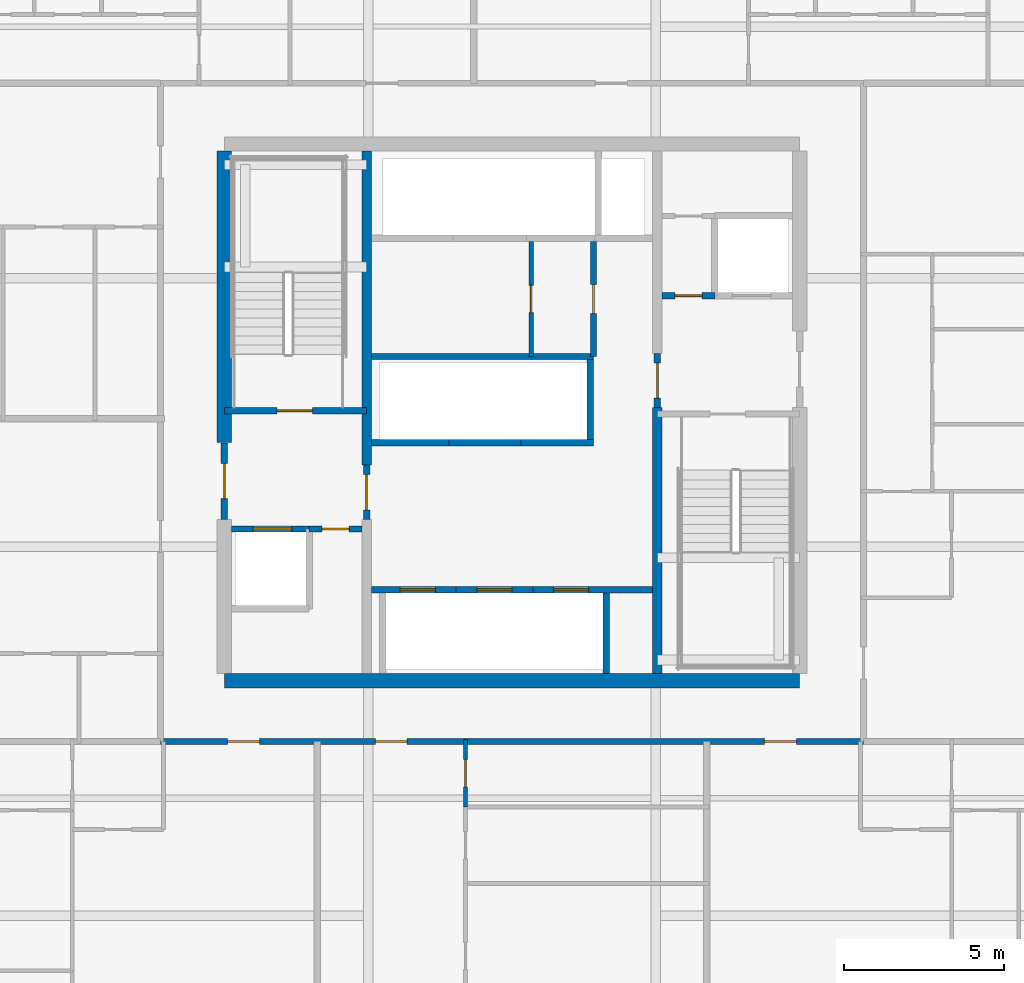
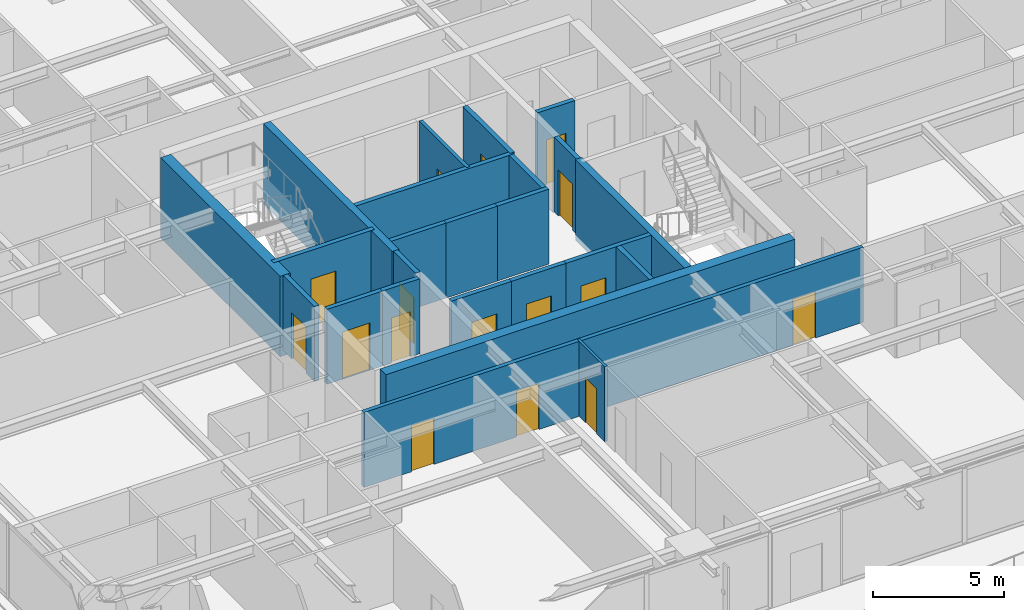
# One storey, part 28 of 39: 24 walls, 16 doors, 16 openings.
"""IFC4 building model written with IfcOpenShell, lengths in metres."""

import ifcopenshell
import ifcopenshell.guid

model = None  # the IFC model being written
_history = None  # IfcOwnerHistory: only IFC2X3 demands one
_inside = {}  # id of a spatial element -> (the spatial element, [elements in it])
_under = {}  # id of a project, library or spatial element -> (it, [spatial elements below it])
_declared = {}  # id of a project -> (the project, [libraries it declares])
_typed = {}  # id of a type object -> (the type object, [elements of that type])
_made_of = {}  # id of a material, layer set ... -> (it, [elements and type objects made of it])


def new_model(schema):
    """Start an empty IFC model of exactly this schema.

    Asked for "IFC4X3", IfcOpenShell would pick the latest addendum, in which some entities
    have other attributes; the version numbers below select the first issue.
    IFC2X3 requires an IfcOwnerHistory on every rooted entity: one is made here for all.
    """
    global model, _history
    if schema == "IFC4X3":
        model = ifcopenshell.file(schema_version=(4, 3, 0, 0))
    else:
        model = ifcopenshell.file(schema=schema)
    _inside.clear()
    _under.clear()
    _declared.clear()
    _typed.clear()
    _made_of.clear()
    _history = None
    if model.schema == "IFC2X3":
        org = make("IfcOrganization", Name="unknown")
        user = make(
            "IfcPersonAndOrganization",
            ThePerson=make("IfcPerson", FamilyName="unknown"),
            TheOrganization=org,
        )
        app = make(
            "IfcApplication",
            ApplicationDeveloper=org,
            Version="unknown",
            ApplicationFullName="unknown",
            ApplicationIdentifier="unknown",
        )
        _history = make(
            "IfcOwnerHistory",
            OwningUser=user,
            OwningApplication=app,
            ChangeAction="ADDED",
            CreationDate=0,
        )
    return model


def make(cls, **values):
    """One entity of the class cls with the attributes given. An attribute that is None is left unset."""
    return model.create_entity(
        cls, **{name: value for name, value in values.items() if value is not None}
    )


def rooted(cls, **values):
    """An entity with a GlobalId (a new one), such as an element, a storey or a relation."""
    return make(cls, GlobalId=ifcopenshell.guid.new(), OwnerHistory=_history, **values)


def si_unit(unit_type, name, prefix=None):
    """IfcSIUnit, for example si_unit("LENGTHUNIT", "METRE", prefix="MILLI")."""
    return make("IfcSIUnit", UnitType=unit_type, Prefix=prefix, Name=name)


def assignment(units):
    """IfcUnitAssignment: the units of a project."""
    return None if units is None else make("IfcUnitAssignment", Units=units)


def point(xyz):
    """IfcCartesianPoint."""
    return None if xyz is None else make("IfcCartesianPoint", Coordinates=xyz)


def direction(xyz):
    """IfcDirection."""
    return None if xyz is None else make("IfcDirection", DirectionRatios=xyz)


def frame(location, z_axis=None, x_axis=None):
    """IfcAxis2Placement3D, a coordinate frame: its origin and axes. An axis left out is left unset."""
    return make(
        "IfcAxis2Placement3D",
        Location=point(location),
        Axis=direction(z_axis),
        RefDirection=direction(x_axis),
    )


def frame_2d(location, x_axis=None):
    """IfcAxis2Placement2D, a coordinate frame in the plane: its origin and x axis."""
    return make(
        "IfcAxis2Placement2D", Location=point(location), RefDirection=direction(x_axis)
    )


def origin():
    """The frame at (0, 0, 0) with its axes left unset."""
    return frame((0.0, 0.0, 0.0))


def place(relative_to, where):
    """IfcLocalPlacement: puts the frame where relative to a parent placement (None: the world)."""
    return make(
        "IfcLocalPlacement", PlacementRelTo=relative_to, RelativePlacement=where
    )


def context(
    kind, dimensions, precision=None, world=None, true_north=None, identifier=None
):
    """IfcGeometricRepresentationContext, for example the 3D "Model" context."""
    return make(
        "IfcGeometricRepresentationContext",
        ContextIdentifier=identifier,
        ContextType=kind,
        CoordinateSpaceDimension=dimensions,
        Precision=precision,
        WorldCoordinateSystem=world,
        TrueNorth=true_north,
    )


def subcontext(parent, identifier, kind, view, scale=None):
    """IfcGeometricRepresentationSubContext, for example "Body" below "Model"."""
    return make(
        "IfcGeometricRepresentationSubContext",
        ContextIdentifier=identifier,
        ContextType=kind,
        ParentContext=parent,
        TargetScale=scale,
        TargetView=view,
    )


def project(units=None, contexts=None):
    """IfcProject with its units and contexts."""
    return rooted(
        "IfcProject",
        Name="project",
        RepresentationContexts=contexts,
        UnitsInContext=assignment(units),
    )


def spatial(cls, under=None, at=None, **own):
    """A site, building, storey or space (cls), placed at a placement, below another one or the project."""
    s = rooted(cls, ObjectPlacement=at, **own)
    if under is not None:
        _under.setdefault(under.id(), (under, []))[1].append(s)
    return s


def profile(cls, at=None, kind="AREA", **sizes):
    """A parametric profile (cls). Its sizes go by their IFC names, for example OverallWidth=200.0."""
    return make(cls, ProfileType=kind, Position=at, **sizes)


def rectangle(**sizes):
    """IfcRectangleProfileDef."""
    return profile("IfcRectangleProfileDef", **sizes)


def extrude(swept, where, along, depth):
    """IfcExtrudedAreaSolid: the profile swept, set in the frame where, extruded along a direction by depth."""
    return make(
        "IfcExtrudedAreaSolid",
        SweptArea=swept,
        Position=where,
        ExtrudedDirection=direction(along),
        Depth=depth,
    )


def shape(context_of_items, identifier, shape_type, items):
    """IfcShapeRepresentation: the items that make up one representation, for example the "Body"."""
    return make(
        "IfcShapeRepresentation",
        ContextOfItems=context_of_items,
        RepresentationIdentifier=identifier,
        RepresentationType=shape_type,
        Items=items,
    )


def source(mapping_origin, context_of_items, identifier, shape_type, items):
    """IfcRepresentationMap: a shape defined once, which mapped items show again and again."""
    return make(
        "IfcRepresentationMap",
        MappingOrigin=mapping_origin,
        MappedRepresentation=shape(context_of_items, identifier, shape_type, items),
    )


def transform(
    local_origin,
    x_axis=None,
    y_axis=None,
    z_axis=None,
    scale=None,
    scale2=None,
    scale3=None,
    uniform=True,
):
    """IfcCartesianTransformationOperator3D, or its non-uniform kind. x_axis, y_axis, z_axis: its Axis1, 2, 3."""
    if uniform:
        return make(
            "IfcCartesianTransformationOperator3D",
            Axis1=direction(x_axis),
            Axis2=direction(y_axis),
            LocalOrigin=point(local_origin),
            Scale=scale,
            Axis3=direction(z_axis),
        )
    return make(
        "IfcCartesianTransformationOperator3DnonUniform",
        Axis1=direction(x_axis),
        Axis2=direction(y_axis),
        LocalOrigin=point(local_origin),
        Scale=scale,
        Axis3=direction(z_axis),
        Scale2=scale2,
        Scale3=scale3,
    )


def mapped(mapping_source, mapping_target):
    """IfcMappedItem: shows the shape of a source again, moved by a transform."""
    return make(
        "IfcMappedItem", MappingSource=mapping_source, MappingTarget=mapping_target
    )


def material(Name=None, Category=None):
    """IfcMaterial."""
    return make("IfcMaterial", Name=Name, Category=Category)


def layer(
    of_material, thickness, ventilated=None, Name=None, Category=None, Priority=None
):
    """IfcMaterialLayer: one layer of a wall or slab, of a material (None: an air gap)."""
    return make(
        "IfcMaterialLayer",
        Material=of_material,
        LayerThickness=thickness,
        IsVentilated=ventilated,
        Name=Name,
        Category=Category,
        Priority=Priority,
    )


def layer_set(layers, Name=None):
    """IfcMaterialLayerSet."""
    return make("IfcMaterialLayerSet", MaterialLayers=layers, LayerSetName=Name)


def made_of(thing, what):
    """Note that an element or type object is made of a material, layer set ...; save() writes the relation."""
    if what is not None:
        _made_of.setdefault(what.id(), (what, []))[1].append(thing)
    return thing


def type_object(cls, material=None, **own):
    """A type object (cls), such as IfcWallType, which elements share."""
    return made_of(rooted(cls, **own), material)


def element(
    cls,
    number,
    at=None,
    inside=None,
    cuts=None,
    type_object=None,
    material=None,
    context=None,
    identifier="Body",
    shape_type=None,
    held_by="IfcProductDefinitionShape",
    body=None,
    shapes=None,
    **own,
):
    """One element of the class cls, such as IfcWall. Its Tag is "e" and its number.

    at: its placement. inside: the storey or other place that contains it. cuts: it is an
    opening in that element (IfcRelVoidsElement). A single representation is given by context,
    identifier, shape_type and body (its items); several are given by shapes. held_by: the class
    of the entity that holds the representations. save() writes the other relations.
    """
    e = rooted(cls, Tag="e%d" % number, ObjectPlacement=at, **own)
    if body is not None:
        shapes = [shape(context, identifier, shape_type, body)]
    if shapes is not None:
        e.Representation = make(held_by, Representations=shapes)
    if inside is not None:
        _inside.setdefault(inside.id(), (inside, []))[1].append(e)
    if cuts is not None:
        rooted(
            "IfcRelVoidsElement", RelatingBuildingElement=cuts, RelatedOpeningElement=e
        )
    if type_object is not None:
        _typed.setdefault(type_object.id(), (type_object, []))[1].append(e)
    return made_of(e, material)


def fill(opening, filler):
    """IfcRelFillsElement: the door or window that sits in an opening."""
    return rooted(
        "IfcRelFillsElement",
        RelatingOpeningElement=opening,
        RelatedBuildingElement=filler,
    )


def aggregate(whole, parts):
    """IfcRelAggregates: a whole, such as a stair, and the parts it consists of."""
    return rooted("IfcRelAggregates", RelatingObject=whole, RelatedObjects=parts)


def save(model, path):
    """Write the relations noted so far, then the file.

    IfcRelAggregates (storeys below a building ...), IfcRelContainedInSpatialStructure (elements
    in a storey), IfcRelDefinesByType, IfcRelAssociatesMaterial and IfcRelDeclares: one each for
    every whole, place, type object, material and project.
    """
    for whole, parts in _under.values():
        aggregate(whole, parts)
    for where, things in _inside.values():
        rooted(
            "IfcRelContainedInSpatialStructure",
            RelatedElements=things,
            RelatingStructure=where,
        )
    for kind, things in _typed.values():
        rooted("IfcRelDefinesByType", RelatedObjects=things, RelatingType=kind)
    for what, things in _made_of.values():
        rooted("IfcRelAssociatesMaterial", RelatedObjects=things, RelatingMaterial=what)
    for by, libraries in _declared.values():
        rooted("IfcRelDeclares", RelatingContext=by, RelatedDefinitions=libraries)
    model.write(path)


model = new_model("IFC4")

# Units and contexts
model_context = context("Model", 3, precision=1e-05, world=origin(), true_north=direction((0.0, 1.0)))
body_context = subcontext(model_context, "Body", "Model", "MODEL_VIEW")
ifc_project = project(units=[si_unit("LENGTHUNIT", "METRE"), si_unit("AREAUNIT", "SQUARE_METRE"), si_unit("VOLUMEUNIT", "CUBIC_METRE"), si_unit("PLANEANGLEUNIT", "RADIAN"), si_unit("MASSUNIT", "GRAM", prefix="KILO")], contexts=[model_context])

# Site, building, storey
site_placement = place(None, origin())
site = spatial("IfcSite", under=ifc_project, at=site_placement, CompositionType="ELEMENT")
building_placement = place(site_placement, origin())
building = spatial("IfcBuilding", under=site, at=building_placement, Name="Serunith Strait Residences", CompositionType="ELEMENT")
storey_placement = place(building_placement, frame((0.0, 0.0, 64.199951171875)))
storey = spatial("IfcBuildingStorey", under=building, at=storey_placement, Name="L15", CompositionType="ELEMENT", Elevation=64.199951171875)

# Wall, opening, door
ifc_material_1 = material(Name="Fire-rated masonry service closet wall", Category="masonry")
ifc_layer_1 = layer(ifc_material_1, 0.14990234375, Name="Fire-rated masonry service closet wall")
ifc_layer_set_1 = layer_set([ifc_layer_1], Name="Fire-rated masonry service closet wall")
wall_type_1 = type_object("IfcWallType", Name="IW-BOH-150", PredefinedType="PARTITIONING", material=ifc_layer_set_1)
wall_1_placement = place(storey_placement, frame((33.0, 26.949951171875, 0.0), z_axis=(0.0, 0.0, 1.0), x_axis=(0.0, 1.0, 0.0)))
wall_1 = element("IfcWall", 1, at=wall_1_placement, inside=storey, type_object=wall_type_1, Name="L15 Partition Wall 014", PredefinedType="PARTITIONING", context=body_context, shape_type="SweptSolid", body=[
    extrude(rectangle(XDim=3.60009765625, YDim=0.14990234375, at=frame_2d((1.800048828125, 0.0))), origin(), (0.0, 0.0, 1.0), 3.489990234375),
])
opening_1_placement = place(wall_1_placement, frame((1.375, 0.0, 0.0)))
opening_1 = element("IfcOpeningElement", 2, at=opening_1_placement, cuts=wall_1, Name="Opening FD-850", PredefinedType="OPENING", context=body_context, shape_type="SweptSolid", body=[
    extrude(rectangle(XDim=0.85009765625, YDim=2.10009765625, at=frame_2d((0.425048828125, 1.050048828125))), frame((0.0, 0.0849609375, 0.0), z_axis=(0.0, -1.0, 0.0), x_axis=(1.0, 0.0, 0.0)), (0.0, 0.0, 1.0), 0.169921875),
])
ifc_material_2 = material(Name="Powder-coated steel service closet door", Category="steel")
door_type_1 = type_object("IfcDoorType", Name="FD-BOH-850", OperationType="NOTDEFINED", PredefinedType="DOOR", material=ifc_material_2)
shared_shape_1 = source(origin(), body_context, "Body", "SweptSolid", [
    extrude(rectangle(XDim=0.85009765625, YDim=2.10009765625, at=frame_2d((0.425048828125, 1.050048828125))), frame((0.0, 0.02490234375, 0.0), z_axis=(0.0, -1.0, 0.0), x_axis=(1.0, 0.0, 0.0)), (0.0, 0.0, 1.0), 0.050048828125),
])
door_1_placement = place(opening_1_placement, origin())
door_1 = element("IfcDoor", 3, at=door_1_placement, inside=storey, type_object=door_type_1, Name="L15 LV Switchgear Door", OperationType="SINGLE_SWING_RIGHT", OverallHeight=2.10009765625, OverallWidth=0.85009765625, PredefinedType="DOOR", context=body_context, shape_type="MappedRepresentation", body=[
    mapped(shared_shape_1, transform((0.0, 0.0, 0.0), scale=1.0)),
])
fill(opening_1, door_1)

# Wall, openings, doors
ifc_material_3 = material(Name="Fire-rated acoustic gypsum partition")
ifc_layer_2 = layer(ifc_material_3, 0.179931640625, Name="Fire-rated acoustic gypsum partition")
ifc_layer_set_2 = layer_set([ifc_layer_2], Name="Fire-rated acoustic gypsum partition")
wall_type_2 = type_object("IfcWallType", Name="IW-CORR-180", PredefinedType="PARTITIONING", material=ifc_layer_set_2)
wall_2_placement = place(storey_placement, frame((21.402099609375, 14.89990234375, 0.0), z_axis=(0.0, 0.0, 1.0), x_axis=(1.0, 0.0, 0.0)))
wall_2 = element("IfcWall", 4, at=wall_2_placement, inside=storey, type_object=wall_type_2, Name="L15 Partition Wall 023", PredefinedType="PARTITIONING", context=body_context, shape_type="SweptSolid", body=[
    extrude(rectangle(XDim=21.995849609375, YDim=0.179931640625, at=frame_2d((10.998046875, 0.0))), origin(), (0.0, 0.0, 1.0), 3.489990234375),
])
opening_2_placement = place(wall_2_placement, frame((2.10009765625, 0.0, 0.0)))
opening_2 = element("IfcOpeningElement", 5, at=opening_2_placement, cuts=wall_2, Name="Opening D-APT1000", PredefinedType="OPENING", context=body_context, shape_type="SweptSolid", body=[
    extrude(rectangle(XDim=1.0, YDim=2.14990234375, at=frame_2d((0.5, 1.074951171875))), frame((0.0, 0.10009765625, 0.0), z_axis=(0.0, -1.0, 0.0), x_axis=(1.0, 0.0, 0.0)), (0.0, 0.0, 1.0), 0.199951171875),
])
opening_3_placement = place(wall_2_placement, frame((6.718994140625, 0.0, 0.0)))
opening_3 = element("IfcOpeningElement", 6, at=opening_3_placement, cuts=wall_2, Name="Opening D-APT1000", PredefinedType="OPENING", context=body_context, shape_type="SweptSolid", body=[
    extrude(rectangle(XDim=1.0, YDim=2.14990234375, at=frame_2d((0.5, 1.074951171875))), frame((0.0, 0.10009765625, 0.0), z_axis=(0.0, -1.0, 0.0), x_axis=(1.0, 0.0, 0.0)), (0.0, 0.0, 1.0), 0.199951171875),
])
opening_4_placement = place(wall_2_placement, frame((18.89599609375, 0.0, 0.0)))
opening_4 = element("IfcOpeningElement", 7, at=opening_4_placement, cuts=wall_2, Name="Opening D-APT1000", PredefinedType="OPENING", context=body_context, shape_type="SweptSolid", body=[
    extrude(rectangle(XDim=1.0, YDim=2.14990234375, at=frame_2d((0.5, 1.074951171875))), frame((0.0, 0.10009765625, 0.0), z_axis=(0.0, -1.0, 0.0), x_axis=(1.0, 0.0, 0.0)), (0.0, 0.0, 1.0), 0.199951171875),
])
ifc_material_4 = material(Name="Solid timber engineered fire door", Category="wood")
door_type_2 = type_object("IfcDoorType", Name="ID-APT-1000", OperationType="NOTDEFINED", PredefinedType="DOOR", material=ifc_material_4)
shared_shape_2 = source(origin(), body_context, "Body", "SweptSolid", [
    extrude(rectangle(XDim=1.0, YDim=2.14990234375, at=frame_2d((0.5, 1.074951171875))), frame((0.0, 0.02490234375, 0.0), z_axis=(0.0, -1.0, 0.0), x_axis=(1.0, 0.0, 0.0)), (0.0, 0.0, 1.0), 0.050048828125),
])
door_2_placement = place(opening_2_placement, origin())
door_2 = element("IfcDoor", 8, at=door_2_placement, inside=storey, type_object=door_type_2, Name="L15 Unit 01 Entrance Door", OperationType="SINGLE_SWING_LEFT", OverallHeight=2.14990234375, OverallWidth=1.0, PredefinedType="DOOR", context=body_context, shape_type="MappedRepresentation", body=[
    mapped(shared_shape_2, transform((0.0, 0.0, 0.0), scale=1.0)),
])
fill(opening_2, door_2)
door_3_placement = place(opening_3_placement, origin())
door_3 = element("IfcDoor", 9, at=door_3_placement, inside=storey, type_object=door_type_2, Name="L15 Unit 02 Entrance Door", OperationType="SINGLE_SWING_RIGHT", OverallHeight=2.14990234375, OverallWidth=1.0, PredefinedType="DOOR", context=body_context, shape_type="MappedRepresentation", body=[
    mapped(shared_shape_2, transform((0.0, 0.0, 0.0), scale=1.0)),
])
fill(opening_3, door_3)
door_4_placement = place(opening_4_placement, origin())
door_4 = element("IfcDoor", 10, at=door_4_placement, inside=storey, type_object=door_type_2, Name="L15 Unit 03 Entrance Door", OperationType="SINGLE_SWING_LEFT", OverallHeight=2.14990234375, OverallWidth=1.0, PredefinedType="DOOR", context=body_context, shape_type="MappedRepresentation", body=[
    mapped(shared_shape_2, transform((0.0, 0.0, 0.0), scale=1.0)),
])
fill(opening_4, door_4)

# Wall, opening, door
ifc_material_5 = material(Name="Lightweight steel-stud gypsum partition", Category="steel")
ifc_layer_3 = layer(ifc_material_5, 0.1201171875, Name="Lightweight steel-stud gypsum partition")
ifc_layer_set_3 = layer_set([ifc_layer_3], Name="Lightweight steel-stud gypsum partition")
wall_type_3 = type_object("IfcWallType", Name="IW-PART-120", PredefinedType="PARTITIONING", material=ifc_layer_set_3)
wall_3_placement = place(storey_placement, frame((30.93994140625, 12.85205078125, 0.0), z_axis=(0.0, 0.0, 1.0), x_axis=(0.0, 1.0, 0.0)))
wall_3 = element("IfcWall", 11, at=wall_3_placement, inside=storey, type_object=wall_type_3, Name="L15 Partition Wall 048", PredefinedType="PARTITIONING", context=body_context, shape_type="SweptSolid", body=[
    extrude(rectangle(XDim=2.10791015625, YDim=0.1201171875, at=frame_2d((1.053955078125, 0.0))), origin(), (0.0, 0.0, 1.0), 3.489990234375),
])
opening_5_placement = place(wall_3_placement, frame((0.62890625, 0.0, 0.0)))
opening_5 = element("IfcOpeningElement", 12, at=opening_5_placement, cuts=wall_3, Name="Opening D-BTH850", PredefinedType="OPENING", context=body_context, shape_type="SweptSolid", body=[
    extrude(rectangle(XDim=0.85009765625, YDim=2.10009765625, at=frame_2d((0.425048828125, 1.050048828125))), frame((0.0, 0.070068359375, 0.0), z_axis=(0.0, -1.0, 0.0), x_axis=(1.0, 0.0, 0.0)), (0.0, 0.0, 1.0), 0.14013671875),
])
ifc_material_6 = material(Name="Moisture-resistant timber bathroom door", Category="wood")
door_type_3 = type_object("IfcDoorType", Name="ID-BATH-850", OperationType="NOTDEFINED", PredefinedType="DOOR", material=ifc_material_6)
door_5_placement = place(opening_5_placement, origin())
door_5 = element("IfcDoor", 13, at=door_5_placement, inside=storey, type_object=door_type_3, Name="L15 Bathroom 1502 Door", OperationType="SINGLE_SWING_RIGHT", OverallHeight=2.10009765625, OverallWidth=0.85009765625, PredefinedType="DOOR", context=body_context, shape_type="MappedRepresentation", body=[
    mapped(shared_shape_1, transform((0.0, 0.0, 0.0), scale=1.0)),
])
fill(opening_5, door_5)

ifc_material_7 = material(Name="Autoclaved aerated concrete blockwork", Category="masonry")
ifc_layer_4 = layer(ifc_material_7, 0.199951171875, Name="Autoclaved aerated concrete blockwork")
ifc_layer_set_4 = layer_set([ifc_layer_4], Name="Autoclaved aerated concrete blockwork")
wall_type_4 = type_object("IfcWallType", Name="IW-SHAFT-200", PredefinedType="STANDARD", material=ifc_layer_set_4)
wall_4_placement = place(storey_placement, frame((23.39990234375, 25.25, 0.0), z_axis=(0.0, 0.0, 1.0), x_axis=(1.0, 0.0, 0.0)))
wall_4 = element("IfcWall", 14, at=wall_4_placement, inside=storey, type_object=wall_type_4, Name="L15 ST-1 South Shaft Wall", PredefinedType="STANDARD", context=body_context, shape_type="SweptSolid", body=[
    extrude(rectangle(XDim=4.4501953125, YDim=0.199951171875, at=frame_2d((2.22509765625, 0.0))), origin(), (0.0, 0.0, 1.0), 3.489990234375),
])
opening_6_placement = place(wall_4_placement, frame((1.64990234375, 0.0, 0.0)))
opening_6 = element("IfcOpeningElement", 15, at=opening_6_placement, cuts=wall_4, Name="Opening FD-1100", PredefinedType="OPENING", context=body_context, shape_type="SweptSolid", body=[
    extrude(rectangle(XDim=1.10009765625, YDim=2.14990234375, at=frame_2d((0.550048828125, 1.074951171875))), frame((0.0, 0.10986328125, 0.0), z_axis=(0.0, -1.0, 0.0), x_axis=(1.0, 0.0, 0.0)), (0.0, 0.0, 1.0), 0.219970703125),
])
ifc_material_8 = material(Name="Galvanised steel fire door leaf", Category="steel")
door_type_4 = type_object("IfcDoorType", Name="FD-STAIR-1100", OperationType="NOTDEFINED", PredefinedType="DOOR", material=ifc_material_8)
shared_shape_3 = source(origin(), body_context, "Body", "SweptSolid", [
    extrude(rectangle(XDim=1.10009765625, YDim=2.14990234375, at=frame_2d((0.550048828125, 1.074951171875))), frame((0.0, 0.02490234375, 0.0), z_axis=(0.0, -1.0, 0.0), x_axis=(1.0, 0.0, 0.0)), (0.0, 0.0, 1.0), 0.050048828125),
])
door_6_placement = place(opening_6_placement, origin())
door_6 = element("IfcDoor", 16, at=door_6_placement, inside=storey, type_object=door_type_4, Name="L15 ST-1 Escape Stair Door", OperationType="SINGLE_SWING_LEFT", OverallHeight=2.14990234375, OverallWidth=1.10009765625, PredefinedType="DOOR", context=body_context, shape_type="MappedRepresentation", body=[
    mapped(shared_shape_3, transform((0.0, 0.0, 0.0), scale=1.0)),
])
fill(opening_6, door_6)

wall_5_placement = place(storey_placement, frame((23.625, 21.550048828125, 0.0), z_axis=(0.0, 0.0, 1.0), x_axis=(1.0, 0.0, 0.0)))
wall_5 = element("IfcWall", 17, at=wall_5_placement, inside=storey, type_object=wall_type_4, Name="L15 FL-1 North Shaft Wall", PredefinedType="STANDARD", context=body_context, shape_type="SweptSolid", body=[
    extrude(rectangle(XDim=2.425048828125, YDim=0.199951171875, at=frame_2d((1.21240234375, 0.0))), origin(), (0.0, 0.0, 1.0), 3.489990234375),
])
opening_7_placement = place(wall_5_placement, frame((0.675048828125, 0.0, 0.0)))
opening_7 = element("IfcOpeningElement", 18, at=opening_7_placement, cuts=wall_5, Name="Opening LD-FF1200", PredefinedType="OPENING", context=body_context, shape_type="SweptSolid", body=[
    extrude(rectangle(XDim=1.199951171875, YDim=2.199951171875, at=frame_2d((0.60009765625, 1.10009765625))), frame((0.0, 0.10986328125, 0.0), z_axis=(0.0, -1.0, 0.0), x_axis=(1.0, 0.0, 0.0)), (0.0, 0.0, 1.0), 0.219970703125),
])
ifc_material_9 = material(Name="Brushed stainless steel landing door", Category="steel")
door_type_5 = type_object("IfcDoorType", Name="LD-FF-1200", OperationType="DOUBLE_DOOR_SLIDING", PredefinedType="DOOR", material=ifc_material_9)
shared_shape_4 = source(origin(), body_context, "Body", "SweptSolid", [
    extrude(rectangle(XDim=1.199951171875, YDim=2.199951171875, at=frame_2d((0.60009765625, 1.10009765625))), frame((0.0, 0.02490234375, 0.0), z_axis=(0.0, -1.0, 0.0), x_axis=(1.0, 0.0, 0.0)), (0.0, 0.0, 1.0), 0.050048828125),
])
door_7_placement = place(opening_7_placement, origin())
door_7 = element("IfcDoor", 19, at=door_7_placement, inside=storey, type_object=door_type_5, Name="L15 FL-1 Landing Door", OperationType="DOUBLE_DOOR_SLIDING", OverallHeight=2.199951171875, OverallWidth=1.199951171875, PredefinedType="DOOR", context=body_context, shape_type="MappedRepresentation", body=[
    mapped(shared_shape_4, transform((0.0, 0.0, 0.0), scale=1.0)),
])
fill(opening_7, door_7)

wall_6_placement = place(storey_placement, frame((28.0, 19.64990234375, 0.0), z_axis=(0.0, 0.0, 1.0), x_axis=(1.0, 0.0, 0.0)))
wall_6 = element("IfcWall", 20, at=wall_6_placement, inside=storey, type_object=wall_type_4, Name="L15 PL-1 North Shaft Wall", PredefinedType="STANDARD", context=body_context, shape_type="SweptSolid", body=[
    extrude(rectangle(XDim=2.64990234375, YDim=0.199951171875, at=frame_2d((1.324951171875, 0.0))), origin(), (0.0, 0.0, 1.0), 3.489990234375),
])
opening_8_placement = place(wall_6_placement, frame((0.89990234375, 0.0, 0.0)))
opening_8 = element("IfcOpeningElement", 21, at=opening_8_placement, cuts=wall_6, Name="Opening LD-1100", PredefinedType="OPENING", context=body_context, shape_type="SweptSolid", body=[
    extrude(rectangle(XDim=1.10009765625, YDim=2.199951171875, at=frame_2d((0.550048828125, 1.10009765625))), frame((0.0, 0.10986328125, 0.0), z_axis=(0.0, -1.0, 0.0), x_axis=(1.0, 0.0, 0.0)), (0.0, 0.0, 1.0), 0.219970703125),
])
ifc_material_10 = material(Name="Pale-champagne stainless landing door")
door_type_6 = type_object("IfcDoorType", Name="LD-LIFT-1100", OperationType="DOUBLE_DOOR_SLIDING", PredefinedType="DOOR", material=ifc_material_10)
shared_shape_5 = source(origin(), body_context, "Body", "SweptSolid", [
    extrude(rectangle(XDim=1.10009765625, YDim=2.199951171875, at=frame_2d((0.550048828125, 1.10009765625))), frame((0.0, 0.02490234375, 0.0), z_axis=(0.0, -1.0, 0.0), x_axis=(1.0, 0.0, 0.0)), (0.0, 0.0, 1.0), 0.050048828125),
])
door_8_placement = place(opening_8_placement, origin())
door_8 = element("IfcDoor", 22, at=door_8_placement, inside=storey, type_object=door_type_6, Name="L15 PL-1 Landing Door", OperationType="DOUBLE_DOOR_SLIDING", OverallHeight=2.199951171875, OverallWidth=1.10009765625, PredefinedType="DOOR", context=body_context, shape_type="MappedRepresentation", body=[
    mapped(shared_shape_5, transform((0.0, 0.0, 0.0), scale=1.0)),
])
fill(opening_8, door_8)

wall_7_placement = place(storey_placement, frame((30.64990234375, 19.64990234375, 0.0), z_axis=(0.0, 0.0, 1.0), x_axis=(1.0, 0.0, 0.0)))
wall_7 = element("IfcWall", 23, at=wall_7_placement, inside=storey, type_object=wall_type_4, Name="L15 PL-2 North Shaft Wall", PredefinedType="STANDARD", context=body_context, shape_type="SweptSolid", body=[
    extrude(rectangle(XDim=2.400146484375, YDim=0.199951171875, at=frame_2d((1.2001953125, 0.0))), origin(), (0.0, 0.0, 1.0), 3.489990234375),
])
opening_9_placement = place(wall_7_placement, frame((0.64990234375, 0.0, 0.0)))
opening_9 = element("IfcOpeningElement", 24, at=opening_9_placement, cuts=wall_7, Name="Opening LD-1100", PredefinedType="OPENING", context=body_context, shape_type="SweptSolid", body=[
    extrude(rectangle(XDim=1.10009765625, YDim=2.199951171875, at=frame_2d((0.550048828125, 1.10009765625))), frame((0.0, 0.10986328125, 0.0), z_axis=(0.0, -1.0, 0.0), x_axis=(1.0, 0.0, 0.0)), (0.0, 0.0, 1.0), 0.219970703125),
])
door_9_placement = place(opening_9_placement, origin())
door_9 = element("IfcDoor", 25, at=door_9_placement, inside=storey, type_object=door_type_6, Name="L15 PL-2 Landing Door", OperationType="DOUBLE_DOOR_SLIDING", OverallHeight=2.199951171875, OverallWidth=1.10009765625, PredefinedType="DOOR", context=body_context, shape_type="MappedRepresentation", body=[
    mapped(shared_shape_5, transform((0.0, 0.0, 0.0), scale=1.0)),
])
fill(opening_9, door_9)

wall_8_placement = place(storey_placement, frame((33.050048828125, 19.64990234375, 0.0), z_axis=(0.0, 0.0, 1.0), x_axis=(1.0, 0.0, 0.0)))
wall_8 = element("IfcWall", 26, at=wall_8_placement, inside=storey, type_object=wall_type_4, Name="L15 PL-3 North Shaft Wall", PredefinedType="STANDARD", context=body_context, shape_type="SweptSolid", body=[
    extrude(rectangle(XDim=3.75, YDim=0.199951171875, at=frame_2d((1.875, 0.0))), origin(), (0.0, 0.0, 1.0), 3.489990234375),
])
opening_10_placement = place(wall_8_placement, frame((0.64990234375, 0.0, 0.0)))
opening_10 = element("IfcOpeningElement", 27, at=opening_10_placement, cuts=wall_8, Name="Opening LD-1100", PredefinedType="OPENING", context=body_context, shape_type="SweptSolid", body=[
    extrude(rectangle(XDim=1.10009765625, YDim=2.199951171875, at=frame_2d((0.550048828125, 1.10009765625))), frame((0.0, 0.10986328125, 0.0), z_axis=(0.0, -1.0, 0.0), x_axis=(1.0, 0.0, 0.0)), (0.0, 0.0, 1.0), 0.219970703125),
])
door_10_placement = place(opening_10_placement, origin())
door_10 = element("IfcDoor", 28, at=door_10_placement, inside=storey, type_object=door_type_6, Name="L15 PL-3 Landing Door", OperationType="DOUBLE_DOOR_SLIDING", OverallHeight=2.199951171875, OverallWidth=1.10009765625, PredefinedType="DOOR", context=body_context, shape_type="MappedRepresentation", body=[
    mapped(shared_shape_5, transform((0.0, 0.0, 0.0), scale=1.0)),
])
fill(opening_10, door_10)

# Walls
wall_9_placement = place(storey_placement, frame((35.35009765625, 17.02490234375, 0.0), z_axis=(0.0, 0.0, 1.0), x_axis=(0.0, 1.0, 0.0)))
element("IfcWall", 29, at=wall_9_placement, inside=storey, type_object=wall_type_4, Name="L15 PL-3 East Shaft Wall", PredefinedType="STANDARD", context=body_context, shape_type="SweptSolid", body=[
    extrude(rectangle(XDim=2.525146484375, YDim=0.199951171875, at=frame_2d((1.2626953125, 0.0))), origin(), (0.0, 0.0, 1.0), 3.489990234375),
])
wall_10_placement = place(storey_placement, frame((28.0, 24.25, 0.0), z_axis=(0.0, 0.0, 1.0), x_axis=(1.0, 0.0, 0.0)))
element("IfcWall", 30, at=wall_10_placement, inside=storey, type_object=wall_type_4, Name="L15 PL-4 South Shaft Wall", PredefinedType="STANDARD", context=body_context, shape_type="SweptSolid", body=[
    extrude(rectangle(XDim=2.425048828125, YDim=0.199951171875, at=frame_2d((1.21240234375, 0.0))), origin(), (0.0, 0.0, 1.0), 3.489990234375),
])
wall_11_placement = place(storey_placement, frame((30.425048828125, 24.25, 0.0), z_axis=(0.0, 0.0, 1.0), x_axis=(1.0, 0.0, 0.0)))
element("IfcWall", 31, at=wall_11_placement, inside=storey, type_object=wall_type_4, Name="L15 PL-5 South Shaft Wall", PredefinedType="STANDARD", context=body_context, shape_type="SweptSolid", body=[
    extrude(rectangle(XDim=2.25, YDim=0.199951171875, at=frame_2d((1.125, 0.0))), origin(), (0.0, 0.0, 1.0), 3.489990234375),
])
wall_12_placement = place(storey_placement, frame((32.675048828125, 24.25, 0.0), z_axis=(0.0, 0.0, 1.0), x_axis=(1.0, 0.0, 0.0)))
element("IfcWall", 32, at=wall_12_placement, inside=storey, type_object=wall_type_4, Name="L15 PL-6 South Shaft Wall", PredefinedType="STANDARD", context=body_context, shape_type="SweptSolid", body=[
    extrude(rectangle(XDim=2.27490234375, YDim=0.199951171875, at=frame_2d((1.137451171875, 0.0))), origin(), (0.0, 0.0, 1.0), 3.489990234375),
])
wall_13_placement = place(storey_placement, frame((34.85009765625, 24.35009765625, 0.0), z_axis=(0.0, 0.0, 1.0), x_axis=(0.0, 1.0, 0.0)))
element("IfcWall", 33, at=wall_13_placement, inside=storey, type_object=wall_type_4, Name="L15 PL-6 East Shaft Wall", PredefinedType="STANDARD", context=body_context, shape_type="SweptSolid", body=[
    extrude(rectangle(XDim=2.5, YDim=0.199951171875, at=frame_2d((1.25, 0.0))), origin(), (0.0, 0.0, 1.0), 3.489990234375),
])

# Wall, opening, door
wall_14_placement = place(storey_placement, frame((26.052001953125, 21.550048828125, 0.0), z_axis=(0.0, 0.0, 1.0), x_axis=(1.0, 0.0, 0.0)))
wall_14 = element("IfcWall", 34, at=wall_14_placement, inside=storey, type_object=wall_type_4, Name="L15 Partition Wall 003", PredefinedType="STANDARD", context=body_context, shape_type="SweptSolid", body=[
    extrude(rectangle(XDim=1.64794921875, YDim=0.199951171875, at=frame_2d((0.823974609375, 0.0))), origin(), (0.0, 0.0, 1.0), 3.489990234375),
])
opening_11_placement = place(wall_14_placement, frame((0.39892578125, 0.0, 0.0)))
opening_11 = element("IfcOpeningElement", 35, at=opening_11_placement, cuts=wall_14, Name="Opening FD-850", PredefinedType="OPENING", context=body_context, shape_type="SweptSolid", body=[
    extrude(rectangle(XDim=0.85009765625, YDim=2.10009765625, at=frame_2d((0.425048828125, 1.050048828125))), frame((0.0, 0.10986328125, 0.0), z_axis=(0.0, -1.0, 0.0), x_axis=(1.0, 0.0, 0.0)), (0.0, 0.0, 1.0), 0.219970703125),
])
door_11_placement = place(opening_11_placement, origin())
door_11 = element("IfcDoor", 36, at=door_11_placement, inside=storey, type_object=door_type_1, Name="L15 South-West Core Service Door", OperationType="SINGLE_SWING_RIGHT", OverallHeight=2.10009765625, OverallWidth=0.85009765625, PredefinedType="DOOR", context=body_context, shape_type="MappedRepresentation", body=[
    mapped(shared_shape_1, transform((0.0, 0.0, 0.0), scale=1.0)),
])
fill(opening_11, door_11)

wall_15_placement = place(storey_placement, frame((37.10009765625, 28.85009765625, 0.0), z_axis=(0.0, 0.0, 1.0), x_axis=(1.0, 0.0, 0.0)))
wall_15 = element("IfcWall", 37, at=wall_15_placement, inside=storey, type_object=wall_type_4, Name="L15 Partition Wall 006", PredefinedType="STANDARD", context=body_context, shape_type="SweptSolid", body=[
    extrude(rectangle(XDim=1.64794921875, YDim=0.199951171875, at=frame_2d((0.823974609375, 0.0))), origin(), (0.0, 0.0, 1.0), 3.489990234375),
])
opening_12_placement = place(wall_15_placement, frame((0.39892578125, 0.0, 0.0)))
opening_12 = element("IfcOpeningElement", 38, at=opening_12_placement, cuts=wall_15, Name="Opening FD-850", PredefinedType="OPENING", context=body_context, shape_type="SweptSolid", body=[
    extrude(rectangle(XDim=0.85009765625, YDim=2.10009765625, at=frame_2d((0.425048828125, 1.050048828125))), frame((0.0, 0.10986328125, 0.0), z_axis=(0.0, -1.0, 0.0), x_axis=(1.0, 0.0, 0.0)), (0.0, 0.0, 1.0), 0.219970703125),
])
door_12_placement = place(opening_12_placement, origin())
door_12 = element("IfcDoor", 39, at=door_12_placement, inside=storey, type_object=door_type_1, Name="L15 North-East Core Service Door", OperationType="SINGLE_SWING_LEFT", OverallHeight=2.10009765625, OverallWidth=0.85009765625, PredefinedType="DOOR", context=body_context, shape_type="MappedRepresentation", body=[
    mapped(shared_shape_1, transform((0.0, 0.0, 0.0), scale=1.0)),
])
fill(opening_12, door_12)

wall_16_placement = place(storey_placement, frame((23.39990234375, 21.85205078125, 0.0), z_axis=(0.0, 0.0, 1.0), x_axis=(0.0, 1.0, 0.0)))
wall_16 = element("IfcWall", 40, at=wall_16_placement, inside=storey, type_object=wall_type_4, Name="L15 Partition Wall 007", PredefinedType="STANDARD", context=body_context, shape_type="SweptSolid", body=[
    extrude(rectangle(XDim=2.39599609375, YDim=0.199951171875, at=frame_2d((1.197998046875, 0.0))), origin(), (0.0, 0.0, 1.0), 3.489990234375),
])
opening_13_placement = place(wall_16_placement, frame((0.64794921875, 0.0, 0.0)))
opening_13 = element("IfcOpeningElement", 41, at=opening_13_placement, cuts=wall_16, Name="Opening FD-FFL", PredefinedType="OPENING", context=body_context, shape_type="SweptSolid", body=[
    extrude(rectangle(XDim=1.10009765625, YDim=2.14990234375, at=frame_2d((0.550048828125, 1.074951171875))), frame((0.0, 0.10986328125, 0.0), z_axis=(0.0, -1.0, 0.0), x_axis=(1.0, 0.0, 0.0)), (0.0, 0.0, 1.0), 0.219970703125),
])
ifc_material_11 = material(Name="Glazed steel smoke-lobby fire door", Category="steel")
door_type_7 = type_object("IfcDoorType", Name="FD-FFL-1100", OperationType="NOTDEFINED", PredefinedType="DOOR", material=ifc_material_11)
door_13_placement = place(opening_13_placement, origin())
door_13 = element("IfcDoor", 42, at=door_13_placement, inside=storey, type_object=door_type_7, Name="L15 FFL-1 Corridor Fire Door", OperationType="SINGLE_SWING_RIGHT", OverallHeight=2.14990234375, OverallWidth=1.10009765625, PredefinedType="DOOR", context=body_context, shape_type="MappedRepresentation", body=[
    mapped(shared_shape_3, transform((0.0, 0.0, 0.0), scale=1.0)),
])
fill(opening_13, door_13)

wall_17_placement = place(storey_placement, frame((27.85009765625, 21.85205078125, 0.0), z_axis=(0.0, 0.0, 1.0), x_axis=(0.0, 1.0, 0.0)))
wall_17 = element("IfcWall", 43, at=wall_17_placement, inside=storey, type_object=wall_type_4, Name="L15 Partition Wall 009", PredefinedType="STANDARD", context=body_context, shape_type="SweptSolid", body=[
    extrude(rectangle(XDim=1.696044921875, YDim=0.199951171875, at=frame_2d((0.84814453125, 0.0))), origin(), (0.0, 0.0, 1.0), 3.489990234375),
])
opening_14_placement = place(wall_17_placement, frame((0.298095703125, 0.0, 0.0)))
opening_14 = element("IfcOpeningElement", 44, at=opening_14_placement, cuts=wall_17, Name="Opening FD-FFL", PredefinedType="OPENING", context=body_context, shape_type="SweptSolid", body=[
    extrude(rectangle(XDim=1.10009765625, YDim=2.14990234375, at=frame_2d((0.550048828125, 1.074951171875))), frame((0.0, 0.10986328125, 0.0), z_axis=(0.0, -1.0, 0.0), x_axis=(1.0, 0.0, 0.0)), (0.0, 0.0, 1.0), 0.219970703125),
])
door_14_placement = place(opening_14_placement, origin())
door_14 = element("IfcDoor", 45, at=door_14_placement, inside=storey, type_object=door_type_7, Name="L15 FFL-1 Lift Lobby Door", OperationType="SINGLE_SWING_RIGHT", OverallHeight=2.14990234375, OverallWidth=1.10009765625, PredefinedType="DOOR", context=body_context, shape_type="MappedRepresentation", body=[
    mapped(shared_shape_3, transform((0.0, 0.0, 0.0), scale=1.0)),
])
fill(opening_14, door_14)

wall_18_placement = place(storey_placement, frame((36.949951171875, 25.35205078125, 0.0), z_axis=(0.0, 0.0, 1.0), x_axis=(0.0, 1.0, 0.0)))
wall_18 = element("IfcWall", 46, at=wall_18_placement, inside=storey, type_object=wall_type_4, Name="L15 Partition Wall 010", PredefinedType="STANDARD", context=body_context, shape_type="SweptSolid", body=[
    extrude(rectangle(XDim=1.696044921875, YDim=0.199951171875, at=frame_2d((0.84814453125, 0.0))), origin(), (0.0, 0.0, 1.0), 3.489990234375),
])
opening_15_placement = place(wall_18_placement, frame((0.298095703125, 0.0, 0.0)))
opening_15 = element("IfcOpeningElement", 47, at=opening_15_placement, cuts=wall_18, Name="Opening FD-FFL", PredefinedType="OPENING", context=body_context, shape_type="SweptSolid", body=[
    extrude(rectangle(XDim=1.10009765625, YDim=2.14990234375, at=frame_2d((0.550048828125, 1.074951171875))), frame((0.0, 0.10986328125, 0.0), z_axis=(0.0, -1.0, 0.0), x_axis=(1.0, 0.0, 0.0)), (0.0, 0.0, 1.0), 0.219970703125),
])
door_15_placement = place(opening_15_placement, origin())
door_15 = element("IfcDoor", 48, at=door_15_placement, inside=storey, type_object=door_type_7, Name="L15 FFL-2 Lift Lobby Door", OperationType="SINGLE_SWING_LEFT", OverallHeight=2.14990234375, OverallWidth=1.10009765625, PredefinedType="DOOR", context=body_context, shape_type="MappedRepresentation", body=[
    mapped(shared_shape_3, transform((0.0, 0.0, 0.0), scale=1.0)),
])
fill(opening_15, door_15)

# Wall
wall_19_placement = place(storey_placement, frame((28.0, 26.949951171875, 0.0), z_axis=(0.0, 0.0, 1.0), x_axis=(1.0, 0.0, 0.0)))
element("IfcWall", 49, at=wall_19_placement, inside=storey, type_object=wall_type_4, Name="L15 Partition Wall 011", PredefinedType="STANDARD", context=body_context, shape_type="SweptSolid", body=[
    extrude(rectangle(XDim=6.949951171875, YDim=0.199951171875, at=frame_2d((3.47509765625, 0.0))), origin(), (0.0, 0.0, 1.0), 3.489990234375),
])

# Wall, opening, door
wall_20_placement = place(storey_placement, frame((34.949951171875, 26.949951171875, 0.0), z_axis=(0.0, 0.0, 1.0), x_axis=(0.0, 1.0, 0.0)))
wall_20 = element("IfcWall", 50, at=wall_20_placement, inside=storey, type_object=wall_type_4, Name="L15 Partition Wall 013", PredefinedType="STANDARD", context=body_context, shape_type="SweptSolid", body=[
    extrude(rectangle(XDim=3.60009765625, YDim=0.199951171875, at=frame_2d((1.800048828125, 0.0))), origin(), (0.0, 0.0, 1.0), 3.489990234375),
])
opening_16_placement = place(wall_20_placement, frame((1.35009765625, 0.0, 0.0)))
opening_16 = element("IfcOpeningElement", 51, at=opening_16_placement, cuts=wall_20, Name="Opening FD-900", PredefinedType="OPENING", context=body_context, shape_type="SweptSolid", body=[
    extrude(rectangle(XDim=0.89990234375, YDim=2.10009765625, at=frame_2d((0.449951171875, 1.050048828125))), frame((0.0, 0.10986328125, 0.0), z_axis=(0.0, -1.0, 0.0), x_axis=(1.0, 0.0, 0.0)), (0.0, 0.0, 1.0), 0.219970703125),
])
ifc_material_12 = material(Name="Powder-coated steel riser door", Category="steel")
door_type_8 = type_object("IfcDoorType", Name="FD-BOH-900", OperationType="NOTDEFINED", PredefinedType="DOOR", material=ifc_material_12)
shared_shape_6 = source(origin(), body_context, "Body", "SweptSolid", [
    extrude(rectangle(XDim=0.89990234375, YDim=2.10009765625, at=frame_2d((0.449951171875, 1.050048828125))), frame((0.0, 0.02490234375, 0.0), z_axis=(0.0, -1.0, 0.0), x_axis=(1.0, 0.0, 0.0)), (0.0, 0.0, 1.0), 0.050048828125),
])
door_16_placement = place(opening_16_placement, origin())
door_16 = element("IfcDoor", 52, at=door_16_placement, inside=storey, type_object=door_type_8, Name="L15 Meter Plant Door", OperationType="SINGLE_SWING_LEFT", OverallHeight=2.10009765625, OverallWidth=0.89990234375, PredefinedType="DOOR", context=body_context, shape_type="MappedRepresentation", body=[
    mapped(shared_shape_6, transform((0.0, 0.0, 0.0), scale=1.0)),
])
fill(opening_16, door_16)

# Walls
ifc_material_13 = material(Name="Concrete C80/95", Category="concrete")
ifc_layer_5 = layer(ifc_material_13, 0.300048828125, Name="Concrete C80/95")
ifc_layer_set_5 = layer_set([ifc_layer_5], Name="Concrete C80/95")
wall_type_5 = type_object("IfcWallType", Name="SW-300-C80", PredefinedType="SHEAR", material=ifc_layer_set_5)
wall_21_placement = place(storey_placement, frame((27.85009765625, 23.550048828125, -0.260009765625), z_axis=(0.0, 0.0, 1.0), x_axis=(0.0, 1.0, 0.0)))
element("IfcWall", 53, at=wall_21_placement, inside=storey, type_object=wall_type_5, Name="L15 Core Internal West Web North Pier", PredefinedType="SHEAR", context=body_context, shape_type="SweptSolid", body=[
    extrude(rectangle(XDim=9.824951171875, YDim=0.300048828125, at=frame_2d((4.91259765625, 0.0))), origin(), (0.0, 0.0, 1.0), 3.748046875),
])
wall_22_placement = place(storey_placement, frame((36.949951171875, 17.02490234375, -0.260009765625), z_axis=(0.0, 0.0, 1.0), x_axis=(0.0, 1.0, 0.0)))
element("IfcWall", 54, at=wall_22_placement, inside=storey, type_object=wall_type_5, Name="L15 Core Internal East Web South Pier", PredefinedType="SHEAR", context=body_context, shape_type="SweptSolid", body=[
    extrude(rectangle(XDim=8.3251953125, YDim=0.300048828125, at=frame_2d((4.16259765625, 0.0))), origin(), (0.0, 0.0, 1.0), 3.748046875),
])
ifc_layer_6 = layer(ifc_material_13, 0.449951171875, Name="Concrete C80/95")
ifc_layer_set_6 = layer_set([ifc_layer_6], Name="Concrete C80/95")
wall_type_6 = type_object("IfcWallType", Name="SW-450-C80", PredefinedType="SHEAR", material=ifc_layer_set_6)
wall_23_placement = place(storey_placement, frame((23.39990234375, 16.800048828125, -0.260009765625), z_axis=(0.0, 0.0, 1.0), x_axis=(1.0, 0.0, 0.0)))
element("IfcWall", 55, at=wall_23_placement, inside=storey, type_object=wall_type_6, Name="L15 Core South Shear Wall", PredefinedType="SHEAR", context=body_context, shape_type="SweptSolid", body=[
    extrude(rectangle(XDim=18.0, YDim=0.449951171875, at=frame_2d((9.0, 0.0))), origin(), (0.0, 0.0, 1.0), 3.748046875),
])
wall_24_placement = place(storey_placement, frame((23.39990234375, 24.25, -0.260009765625), z_axis=(0.0, 0.0, 1.0), x_axis=(0.0, 1.0, 0.0)))
element("IfcWall", 56, at=wall_24_placement, inside=storey, type_object=wall_type_6, Name="L15 Core West Shear Wall North Pier", PredefinedType="SHEAR", context=body_context, shape_type="SweptSolid", body=[
    extrude(rectangle(XDim=9.125, YDim=0.449951171875, at=frame_2d((4.5625, 0.0))), origin(), (0.0, 0.0, 1.0), 3.748046875),
])

save(model, "model.ifc")
